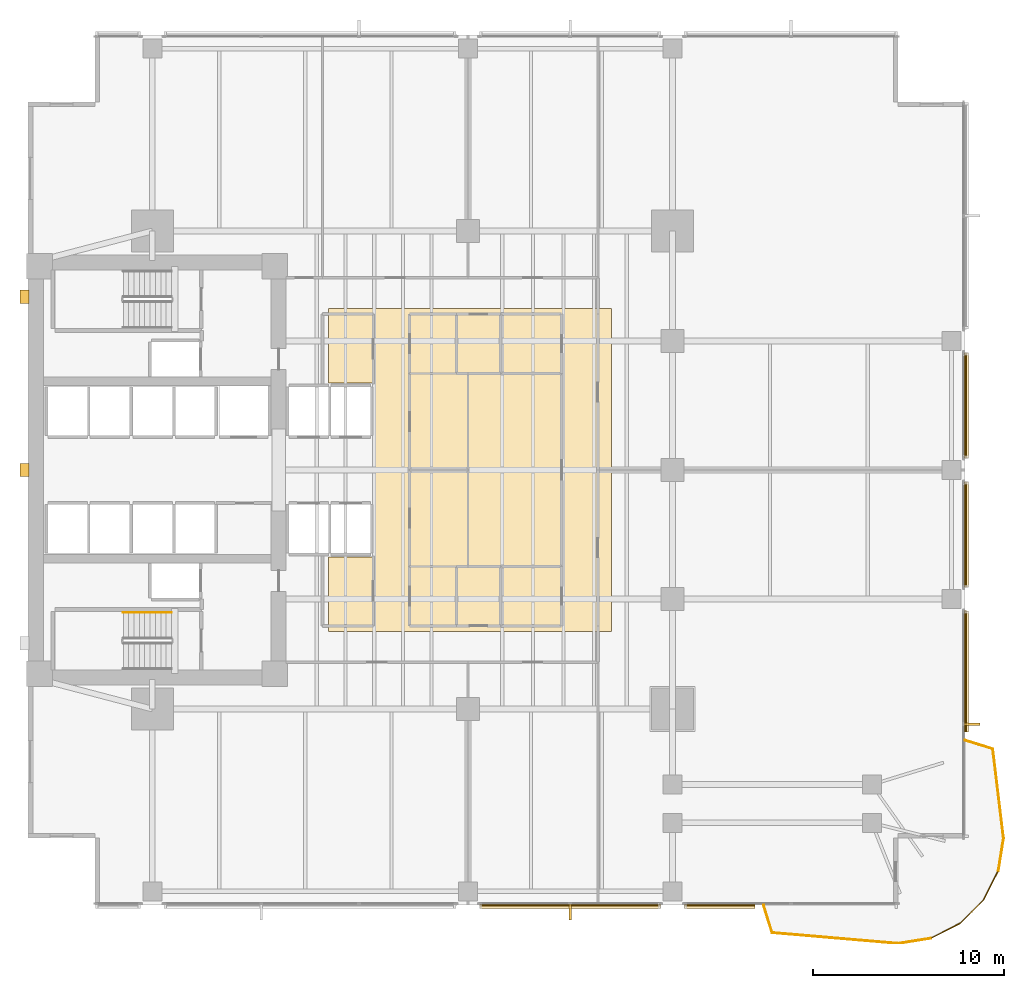
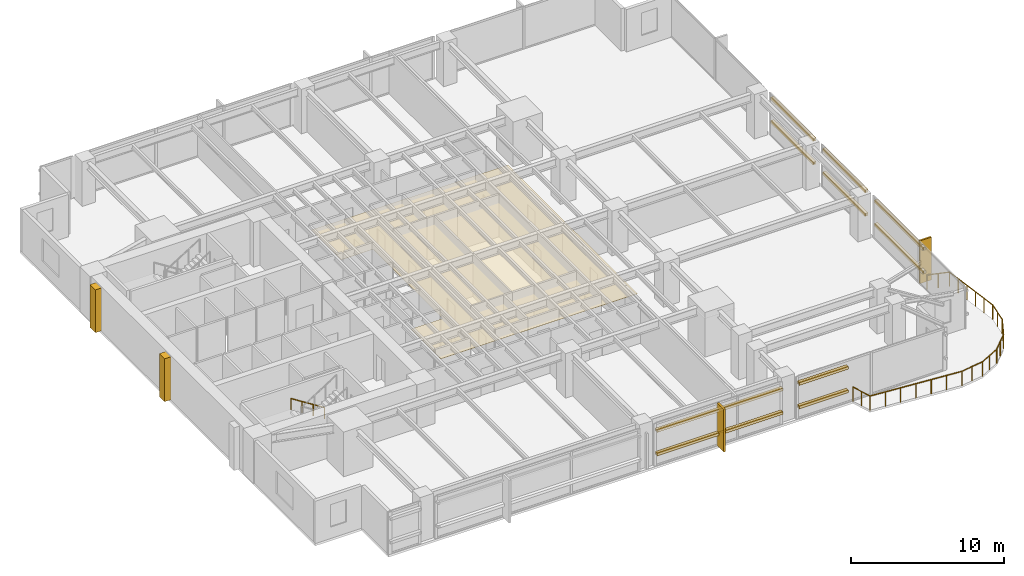
# One storey, part 13 of 15: 15 coverings, 10 railings, 10 shading devices.
"""IFC4 building model written with IfcOpenShell, lengths in metres."""

from ifc_helpers import new_model, si_unit, direction, frame, origin, origin_2d, place, context, subcontext, project, spatial, polyline, rectangle, circle, outline, extrude, material, layer, layer_set, material_profile, profile_set, type_object, element, save


model = new_model("IFC4")

# Units and contexts
model_context = context("Model", 3, precision=1e-05, world=origin(), true_north=direction((0.0, 1.0)))
body_context = subcontext(model_context, "Body", "Model", "MODEL_VIEW")
ifc_project = project(units=[si_unit("LENGTHUNIT", "METRE"), si_unit("AREAUNIT", "SQUARE_METRE"), si_unit("VOLUMEUNIT", "CUBIC_METRE"), si_unit("PLANEANGLEUNIT", "RADIAN"), si_unit("MASSUNIT", "GRAM", prefix="KILO")], contexts=[model_context])

# Site, building, storey
site_placement = place(None, origin())
site = spatial("IfcSite", under=ifc_project, at=site_placement, CompositionType="ELEMENT")
building_placement = place(site_placement, origin())
building = spatial("IfcBuilding", under=site, at=building_placement, Name="Kinhvarn Gate Tower", CompositionType="ELEMENT")
storey_placement = place(building_placement, frame((0.0, 0.0, 43.35009765625)))
storey = spatial("IfcBuildingStorey", under=building, at=storey_placement, Name="L10", CompositionType="ELEMENT", Elevation=43.35009765625)

# Coverings
ifc_material_1 = material(Name="Fired architectural terracotta", Category="masonry")
ifc_layer_1 = layer(ifc_material_1, 0.239990234375)
ifc_layer_set_1 = layer_set([ifc_layer_1], Name="Fired architectural terracotta")
covering_type_1 = type_object("IfcCoveringType", Name="COV-BAG-220", PredefinedType="CLADDING", material=ifc_layer_set_1)
for number, where, name in (
    (1, (0.0, 0.0, 0.93994140625), "Terracotta Horizontal Sunscreen Band TBG-220 (L10)"),
    (2, (0.0, 0.0, 2.809814453125), "Terracotta Horizontal Sunscreen Band TBG-220 (L10)"),
):
    element("IfcCovering", number, at=place(storey_placement, frame(where)), inside=storey, type_object=covering_type_1, Name=name, PredefinedType="CLADDING", context=body_context, shape_type="SweptSolid", body=[
        extrude(outline(polyline([(28.1201171875, 2.56005859375), (37.580078125, 2.56005859375), (37.580078125, 2.320068359375), (28.1201171875, 2.320068359375), (28.1201171875, 2.56005859375)])), origin(), (0.0, 0.0, 1.0), 0.219970703125),
    ])
for number, where, name in (
    (3, (0.0, 0.0, 0.93994140625), "Terracotta Horizontal Sunscreen Band TBG-220 (L10)"),
    (4, (0.0, 0.0, 2.809814453125), "Terracotta Horizontal Sunscreen Band TBG-220 (L10)"),
):
    element("IfcCovering", number, at=place(storey_placement, frame(where)), inside=storey, type_object=covering_type_1, Name=name, PredefinedType="CLADDING", context=body_context, shape_type="SweptSolid", body=[
        extrude(outline(polyline([(38.820068359375, 2.56005859375), (42.510986328125, 2.56005859375), (42.510986328125, 2.320068359375), (38.820068359375, 2.320068359375), (38.820068359375, 2.56005859375)])), origin(), (0.0, 0.0, 1.0), 0.219970703125),
    ])
for number, where, name in (
    (5, (0.0, 0.0, 0.93994140625), "Terracotta Horizontal Sunscreen Band TBG-220 (L10)"),
    (6, (0.0, 0.0, 2.809814453125), "Terracotta Horizontal Sunscreen Band TBG-220 (L10)"),
):
    element("IfcCovering", number, at=place(storey_placement, frame(where)), inside=storey, type_object=covering_type_1, Name=name, PredefinedType="CLADDING", context=body_context, shape_type="SweptSolid", body=[
        extrude(outline(polyline([(53.43994140625, 11.56298828125), (53.43994140625, 17.8798828125), (53.679931640625, 17.8798828125), (53.679931640625, 11.56298828125), (53.43994140625, 11.56298828125)])), origin(), (0.0, 0.0, 1.0), 0.219970703125),
    ])
for number, where, name in (
    (7, (0.0, 0.0, 0.93994140625), "Terracotta Horizontal Sunscreen Band TBG-220 (L10)"),
    (8, (0.0, 0.0, 2.809814453125), "Terracotta Horizontal Sunscreen Band TBG-220 (L10)"),
):
    element("IfcCovering", number, at=place(storey_placement, frame(where)), inside=storey, type_object=covering_type_1, Name=name, PredefinedType="CLADDING", context=body_context, shape_type="SweptSolid", body=[
        extrude(outline(polyline([(53.43994140625, 19.1201171875), (53.43994140625, 24.6298828125), (53.679931640625, 24.6298828125), (53.679931640625, 19.1201171875), (53.43994140625, 19.1201171875)])), origin(), (0.0, 0.0, 1.0), 0.219970703125),
    ])
for number, where, name in (
    (9, (0.0, 0.0, 0.93994140625), "Terracotta Horizontal Sunscreen Band TBG-220 (L10)"),
    (10, (0.0, 0.0, 2.809814453125), "Terracotta Horizontal Sunscreen Band TBG-220 (L10)"),
):
    element("IfcCovering", number, at=place(storey_placement, frame(where)), inside=storey, type_object=covering_type_1, Name=name, PredefinedType="CLADDING", context=body_context, shape_type="SweptSolid", body=[
        extrude(outline(polyline([(53.43994140625, 25.8701171875), (53.43994140625, 31.3798828125), (53.679931640625, 31.3798828125), (53.679931640625, 25.8701171875), (53.43994140625, 25.8701171875)])), origin(), (0.0, 0.0, 1.0), 0.219970703125),
    ])
ifc_material_2 = material(Name="Mineral-fibre acoustic ceiling tile")
ifc_layer_2 = layer(ifc_material_2, 0.02001953125)
ifc_layer_set_2 = layer_set([ifc_layer_2], Name="Mineral-fibre acoustic ceiling tile")
covering_type_2 = type_object("IfcCoveringType", Name="COV-CEIL-20", PredefinedType="CEILING", material=ifc_layer_set_2)
covering_1_placement = place(storey_placement, frame((0.0, 0.0, 2.64990234375)))
element("IfcCovering", 11, at=covering_1_placement, inside=storey, type_object=covering_type_2, Name="Suspended Acoustic Ceiling Tile (L10-1)", PredefinedType="CEILING", context=body_context, shape_type="SweptSolid", body=[
    extrude(outline(polyline([(35.0, 33.699951171875), (35.0, 16.800048828125), (20.199951171875, 16.800048828125), (20.199951171875, 20.699951171875), (22.60009765625, 20.699951171875), (22.60009765625, 29.800048828125), (20.199951171875, 29.800048828125), (20.199951171875, 33.699951171875), (35.0, 33.699951171875)])), origin(), (0.0, 0.0, 1.0), 0.02001953125),
])
ifc_layer_3 = layer(ifc_material_1, 0.139892578125)
ifc_layer_set_3 = layer_set([ifc_layer_3], Name="Fired architectural terracotta")
covering_type_3 = type_object("IfcCoveringType", Name="COV-FIN-850", PredefinedType="CLADDING", material=ifc_layer_set_3)
covering_2_placement = place(storey_placement, frame((0.0, 0.0, -0.02001953125)))
element("IfcCovering", 12, at=covering_2_placement, inside=storey, type_object=covering_type_3, Name="Vertical Terracotta Expressive Fin TFN-850 (L10)", PredefinedType="CLADDING", context=body_context, shape_type="SweptSolid", body=[
    extrude(outline(polyline([(32.780029296875, 2.570068359375), (32.919921875, 2.570068359375), (32.919921875, 1.719970703125), (32.780029296875, 1.719970703125), (32.780029296875, 2.570068359375)])), origin(), (0.0, 0.0, 1.0), 3.409912109375),
])
covering_3_placement = place(storey_placement, frame((0.0, 0.0, -0.02001953125)))
element("IfcCovering", 13, at=covering_3_placement, inside=storey, type_object=covering_type_3, Name="Vertical Terracotta Expressive Fin TFN-850 (L10)", PredefinedType="CLADDING", context=body_context, shape_type="SweptSolid", body=[
    extrude(outline(polyline([(53.429931640625, 11.889892578125), (53.429931640625, 12.030029296875), (54.280029296875, 12.030029296875), (54.280029296875, 11.889892578125), (53.429931640625, 11.889892578125)])), origin(), (0.0, 0.0, 1.0), 3.409912109375),
])
ifc_material_3 = material(Name="Precast white architectural concrete C40/50", Category="concrete")
ifc_layer_4 = layer(ifc_material_3, 0.47998046875)
ifc_layer_set_4 = layer_set([ifc_layer_4], Name="Precast white architectural concrete C40/50")
covering_type_4 = type_object("IfcCoveringType", Name="COV-RIB-450", PredefinedType="CLADDING", material=ifc_layer_set_4)
covering_4_placement = place(storey_placement, frame((0.0, 0.0, -0.02001953125)))
element("IfcCovering", 14, at=covering_4_placement, inside=storey, type_object=covering_type_4, Name="West Core Sculptural Concrete Relief Rib CRB-450 (L10)", PredefinedType="CLADDING", context=body_context, shape_type="SweptSolid", body=[
    extrude(outline(polyline([(4.080078125, 24.89990234375), (4.56005859375, 24.89990234375), (4.56005859375, 25.60009765625), (4.080078125, 25.60009765625), (4.080078125, 24.89990234375)])), origin(), (0.0, 0.0, 1.0), 3.409912109375),
])
covering_5_placement = place(storey_placement, frame((0.0, 0.0, -0.02001953125)))
element("IfcCovering", 15, at=covering_5_placement, inside=storey, type_object=covering_type_4, Name="West Core Sculptural Concrete Relief Rib CRB-450 (L10)", PredefinedType="CLADDING", context=body_context, shape_type="SweptSolid", body=[
    extrude(outline(polyline([(4.080078125, 33.949951171875), (4.56005859375, 33.949951171875), (4.56005859375, 34.64990234375), (4.080078125, 34.64990234375), (4.080078125, 33.949951171875)])), origin(), (0.0, 0.0, 1.0), 3.409912109375),
])

# Railings
ifc_material_4 = material(Name="Clear low-e double glazing", Category="glass")
railing_type_1 = type_object("IfcRailingType", Name="RL-BAL-1150", PredefinedType="BALUSTRADE", material=ifc_material_4)
railing_1_placement = place(storey_placement, frame((42.9609375, 2.5, 0.0)))
element("IfcRailing", 16, at=railing_1_placement, inside=storey, type_object=railing_type_1, Name="S-Carve Balcony Guardrail Seg 1 (L10)", PredefinedType="BALUSTRADE", context=body_context, shape_type="SweptSolid", body=[
    extrude(circle(Radius=0.02392578125, at=origin_2d()), frame((0.0, 0.0, 1.1259765625), z_axis=(0.297154754716, -0.954829331216, 0.0), x_axis=(0.954829331216, 0.297154754716, 0.0)), (0.0, 0.0, 1.0), 1.51416015625),
    extrude(circle(Radius=0.02099609375, at=origin_2d()), origin(), (0.0, 0.0, 1.0), 1.101806640625),
    extrude(circle(Radius=0.02099609375, at=origin_2d()), frame((0.22509765625, -0.722900390625, 0.0)), (0.0, 0.0, 1.0), 1.101806640625),
    extrude(circle(Radius=0.02099609375, at=origin_2d()), frame((0.449951171875, -1.44580078125, 0.0)), (0.0, 0.0, 1.0), 1.101806640625),
])
railing_2_placement = place(storey_placement, frame((43.410888671875, 1.05419921875, 0.0)))
element("IfcRailing", 17, at=railing_2_placement, inside=storey, type_object=railing_type_1, Name="S-Carve Balcony Guardrail Seg 2 (L10)", PredefinedType="BALUSTRADE", context=body_context, shape_type="SweptSolid", body=[
    extrude(circle(Radius=0.02392578125, at=origin_2d()), frame((0.0, 0.0, 1.1259765625), z_axis=(0.996379067144, -0.085022082761, 0.0), x_axis=(0.085022082761, 0.996379067144, 0.0)), (0.0, 0.0, 1.0), 6.613037109375),
    extrude(circle(Radius=0.02099609375, at=origin_2d()), origin(), (0.0, 0.0, 1.0), 1.101806640625),
    extrude(circle(Radius=0.02099609375, at=origin_2d()), frame((1.09814453125, -0.09375, 0.0)), (0.0, 0.0, 1.0), 1.101806640625),
    extrude(circle(Radius=0.02099609375, at=origin_2d()), frame((2.1962890625, -0.1875, 0.0)), (0.0, 0.0, 1.0), 1.101806640625),
    extrude(circle(Radius=0.02099609375, at=origin_2d()), frame((3.29443359375, -0.28125, 0.0)), (0.0, 0.0, 1.0), 1.101806640625),
    extrude(circle(Radius=0.02099609375, at=origin_2d()), frame((4.392822265625, -0.374755859375, 0.0)), (0.0, 0.0, 1.0), 1.101806640625),
    extrude(circle(Radius=0.02099609375, at=origin_2d()), frame((5.490966796875, -0.468505859375, 0.0)), (0.0, 0.0, 1.0), 1.101806640625),
    extrude(circle(Radius=0.02099609375, at=origin_2d()), frame((6.589111328125, -0.562255859375, 0.0)), (0.0, 0.0, 1.0), 1.101806640625),
])
railing_3_placement = place(storey_placement, frame((50.0, 0.491943359375, 0.0)))
element("IfcRailing", 18, at=railing_3_placement, inside=storey, type_object=railing_type_1, Name="S-Carve Balcony Guardrail Seg 3 (L10)", PredefinedType="BALUSTRADE", context=body_context, shape_type="SweptSolid", body=[
    extrude(circle(Radius=0.02392578125, at=origin_2d()), frame((0.0, 0.0, 1.1259765625), z_axis=(0.987672057472, 0.156537238025, 0.0), x_axis=(-0.156537238025, 0.987672057472, 0.0)), (0.0, 0.0, 1.0), 1.723388671875),
    extrude(circle(Radius=0.02099609375, at=origin_2d()), origin(), (0.0, 0.0, 1.0), 1.101806640625),
    extrude(circle(Radius=0.02099609375, at=origin_2d()), frame((0.85107421875, 0.134765625, 0.0)), (0.0, 0.0, 1.0), 1.101806640625),
    extrude(circle(Radius=0.02099609375, at=origin_2d()), frame((1.7021484375, 0.269775390625, 0.0)), (0.0, 0.0, 1.0), 1.101806640625),
])
railing_4_placement = place(storey_placement, frame((51.7021484375, 0.76171875, 0.0)))
element("IfcRailing", 19, at=railing_4_placement, inside=storey, type_object=railing_type_1, Name="S-Carve Balcony Guardrail Seg 4 (L10)", PredefinedType="BALUSTRADE", context=body_context, shape_type="SweptSolid", body=[
    extrude(circle(Radius=0.02392578125, at=origin_2d()), frame((0.0, 0.0, 1.1259765625), z_axis=(0.891029765619, 0.453944882977, 0.0), x_axis=(-0.453944882977, 0.891029765619, 0.0)), (0.0, 0.0, 1.0), 1.72314453125),
    extrude(circle(Radius=0.02099609375, at=origin_2d()), origin(), (0.0, 0.0, 1.0), 1.101806640625),
    extrude(circle(Radius=0.02099609375, at=origin_2d()), frame((0.767578125, 0.39111328125, 0.0)), (0.0, 0.0, 1.0), 1.101806640625),
    extrude(circle(Radius=0.02099609375, at=origin_2d()), frame((1.535400390625, 0.7822265625, 0.0)), (0.0, 0.0, 1.0), 1.101806640625),
])
railing_5_placement = place(storey_placement, frame((53.237548828125, 1.5439453125, 0.0)))
element("IfcRailing", 20, at=railing_5_placement, inside=storey, type_object=railing_type_1, Name="S-Carve Balcony Guardrail Seg 5 (L10)", PredefinedType="BALUSTRADE", context=body_context, shape_type="SweptSolid", body=[
    extrude(circle(Radius=0.02392578125, at=origin_2d()), frame((0.0, 0.0, 1.1259765625), z_axis=(0.707106781187, 0.707106781187, 0.0), x_axis=(-0.707106781187, 0.707106781187, 0.0)), (0.0, 0.0, 1.0), 1.72314453125),
    extrude(circle(Radius=0.02099609375, at=origin_2d()), origin(), (0.0, 0.0, 1.0), 1.101806640625),
    extrude(circle(Radius=0.02099609375, at=origin_2d()), frame((0.609375, 0.609375, 0.0)), (0.0, 0.0, 1.0), 1.101806640625),
    extrude(circle(Radius=0.02099609375, at=origin_2d()), frame((1.218505859375, 1.218505859375, 0.0)), (0.0, 0.0, 1.0), 1.101806640625),
])
railing_6_placement = place(storey_placement, frame((54.4560546875, 2.762451171875, 0.0)))
element("IfcRailing", 21, at=railing_6_placement, inside=storey, type_object=railing_type_1, Name="S-Carve Balcony Guardrail Seg 6 (L10)", PredefinedType="BALUSTRADE", context=body_context, shape_type="SweptSolid", body=[
    extrude(circle(Radius=0.02392578125, at=origin_2d()), frame((0.0, 0.0, 1.1259765625), z_axis=(0.453944882977, 0.891029765619, 0.0), x_axis=(-0.891029765619, 0.453944882977, 0.0)), (0.0, 0.0, 1.0), 1.72314453125),
    extrude(circle(Radius=0.02099609375, at=origin_2d()), origin(), (0.0, 0.0, 1.0), 1.101806640625),
    extrude(circle(Radius=0.02099609375, at=origin_2d()), frame((0.39111328125, 0.767578125, 0.0)), (0.0, 0.0, 1.0), 1.101806640625),
    extrude(circle(Radius=0.02099609375, at=origin_2d()), frame((0.7822265625, 1.535400390625, 0.0)), (0.0, 0.0, 1.0), 1.101806640625),
])
railing_7_placement = place(storey_placement, frame((55.23828125, 4.2978515625, 0.0)))
element("IfcRailing", 22, at=railing_7_placement, inside=storey, type_object=railing_type_1, Name="S-Carve Balcony Guardrail Seg 7 (L10)", PredefinedType="BALUSTRADE", context=body_context, shape_type="SweptSolid", body=[
    extrude(circle(Radius=0.02392578125, at=origin_2d()), frame((0.0, 0.0, 1.1259765625), z_axis=(0.156537238025, 0.987672057472, 0.0), x_axis=(-0.987672057472, 0.156537238025, 0.0)), (0.0, 0.0, 1.0), 1.723388671875),
    extrude(circle(Radius=0.02099609375, at=origin_2d()), origin(), (0.0, 0.0, 1.0), 1.101806640625),
    extrude(circle(Radius=0.02099609375, at=origin_2d()), frame((0.134765625, 0.85107421875, 0.0)), (0.0, 0.0, 1.0), 1.101806640625),
    extrude(circle(Radius=0.02099609375, at=origin_2d()), frame((0.269775390625, 1.7021484375, 0.0)), (0.0, 0.0, 1.0), 1.101806640625),
])
railing_8_placement = place(storey_placement, frame((55.508056640625, 6.0, 0.0)))
element("IfcRailing", 23, at=railing_8_placement, inside=storey, type_object=railing_type_1, Name="S-Carve Balcony Guardrail Seg 8 (L10)", PredefinedType="BALUSTRADE", context=body_context, shape_type="SweptSolid", body=[
    extrude(circle(Radius=0.02392578125, at=origin_2d()), frame((0.0, 0.0, 1.1259765625), z_axis=(-0.119708859581, 0.992809039513, 0.0), x_axis=(-0.992809039513, -0.119708859581, 0.0)), (0.0, 0.0, 1.0), 4.69677734375),
    extrude(circle(Radius=0.02099609375, at=origin_2d()), origin(), (0.0, 0.0, 1.0), 1.101806640625),
    extrude(circle(Radius=0.02099609375, at=origin_2d()), frame((-0.112548828125, 0.9326171875, 0.0)), (0.0, 0.0, 1.0), 1.101806640625),
    extrude(circle(Radius=0.02099609375, at=origin_2d()), frame((-0.224853515625, 1.865234375, 0.0)), (0.0, 0.0, 1.0), 1.101806640625),
    extrude(circle(Radius=0.02099609375, at=origin_2d()), frame((-0.33740234375, 2.7978515625, 0.0)), (0.0, 0.0, 1.0), 1.101806640625),
    extrude(circle(Radius=0.02099609375, at=origin_2d()), frame((-0.44970703125, 3.73046875, 0.0)), (0.0, 0.0, 1.0), 1.101806640625),
    extrude(circle(Radius=0.02099609375, at=origin_2d()), frame((-0.562255859375, 4.6630859375, 0.0)), (0.0, 0.0, 1.0), 1.101806640625),
])
railing_9_placement = place(storey_placement, frame((54.94580078125, 10.6630859375, 0.0)))
element("IfcRailing", 24, at=railing_9_placement, inside=storey, type_object=railing_type_1, Name="S-Carve Balcony Guardrail Seg 9 (L10)", PredefinedType="BALUSTRADE", context=body_context, shape_type="SweptSolid", body=[
    extrude(circle(Radius=0.02392578125, at=origin_2d()), frame((0.0, 0.0, 1.1259765625), z_axis=(-0.954829331216, 0.297154754716, 0.0), x_axis=(-0.297154754716, -0.954829331216, 0.0)), (0.0, 0.0, 1.0), 1.51416015625),
    extrude(circle(Radius=0.02099609375, at=origin_2d()), origin(), (0.0, 0.0, 1.0), 1.101806640625),
    extrude(circle(Radius=0.02099609375, at=origin_2d()), frame((-0.722900390625, 0.22509765625, 0.0)), (0.0, 0.0, 1.0), 1.101806640625),
    extrude(circle(Radius=0.02099609375, at=origin_2d()), frame((-1.44580078125, 0.449951171875, 0.0)), (0.0, 0.0, 1.0), 1.101806640625),
])
ifc_material_5 = material(Name="Steel S355", Category="steel")
railing_type_2 = type_object("IfcRailingType", Name="RL-ST-HND", PredefinedType="HANDRAIL", material=ifc_material_5)
railing_10_placement = place(storey_placement, frame((12.0, 17.800048828125, 0.177490234375)))
element("IfcRailing", 25, at=railing_10_placement, inside=storey, type_object=railing_type_2, Name="L10 ST1 stair handrail 1", PredefinedType="HANDRAIL", context=body_context, shape_type="SweptSolid", body=[
    extrude(circle(Radius=0.02392578125, at=origin_2d()), frame((0.0, 0.0, 0.8759765625), z_axis=(-0.84460694969, 0.0, 0.535386869969), x_axis=(0.0, -1.0, 0.0)), (0.0, 0.0, 1.0), 2.983642578125),
    extrude(circle(Radius=0.02099609375, at=origin_2d()), origin(), (0.0, 0.0, 1.0), 0.851806640625),
    extrude(circle(Radius=0.02099609375, at=origin_2d()), frame((-0.840087890625, 0.0, 0.532470703125)), (0.0, 0.0, 1.0), 0.851806640625),
    extrude(circle(Radius=0.02099609375, at=origin_2d()), frame((-1.679931640625, 0.0, 1.06494140625)), (0.0, 0.0, 1.0), 0.851806640625),
    extrude(circle(Radius=0.02099609375, at=origin_2d()), frame((-2.52001953125, 0.0, 1.597412109375)), (0.0, 0.0, 1.0), 0.851806640625),
])

# Shading devices
ifc_material_profile = material_profile(ifc_material_1, rectangle(XDim=0.06005859375, YDim=0.139892578125, at=origin_2d()), Name="TC 60x140")
ifc_profile_set = profile_set([ifc_material_profile], Name="Fired architectural terracotta")
shading_device_type = type_object("IfcShadingDeviceType", Name="SHD-BAG-180", PredefinedType="USERDEFINED", material=ifc_profile_set)
for number, where, z_axis, x_axis, name in (
    (26, (28.1201171875, 2.485107421875, 1.0498046875), (1.0, 0.0, 0.0), (0.0, 1.0, 0.0), "Fired Terracotta Baguette Screen Rod 60x140 mm (L10)"),
    (27, (28.1201171875, 2.485107421875, 2.919921875), (1.0, 0.0, 0.0), (0.0, 1.0, 0.0), "Fired Terracotta Baguette Screen Rod 60x140 mm (L10)"),
):
    element("IfcShadingDevice", number, at=place(storey_placement, frame(where, z_axis=z_axis, x_axis=x_axis)), inside=storey, type_object=shading_device_type, Name=name, ObjectType="BAGUETTE", PredefinedType="USERDEFINED", context=body_context, shape_type="SweptSolid", body=[
        extrude(rectangle(XDim=0.06005859375, YDim=0.139892578125, at=origin_2d()), origin(), (0.0, 0.0, 1.0), 9.4599609375),
    ])
for number, where, z_axis, x_axis, name in (
    (28, (38.820068359375, 2.485107421875, 1.0498046875), (1.0, 0.0, 0.0), (0.0, 1.0, 0.0), "Fired Terracotta Baguette Screen Rod 60x140 mm (L10)"),
    (29, (38.820068359375, 2.485107421875, 2.919921875), (1.0, 0.0, 0.0), (0.0, 1.0, 0.0), "Fired Terracotta Baguette Screen Rod 60x140 mm (L10)"),
):
    element("IfcShadingDevice", number, at=place(storey_placement, frame(where, z_axis=z_axis, x_axis=x_axis)), inside=storey, type_object=shading_device_type, Name=name, ObjectType="BAGUETTE", PredefinedType="USERDEFINED", context=body_context, shape_type="SweptSolid", body=[
        extrude(rectangle(XDim=0.06005859375, YDim=0.139892578125, at=origin_2d()), origin(), (0.0, 0.0, 1.0), 3.69091796875),
    ])
for number, where, z_axis, x_axis, name in (
    (30, (53.514892578125, 11.56298828125, 1.0498046875), (0.0, 1.0, 0.0), (-1.0, 0.0, 0.0), "Fired Terracotta Baguette Screen Rod 60x140 mm (L10)"),
    (31, (53.514892578125, 11.56298828125, 2.919921875), (0.0, 1.0, 0.0), (-1.0, 0.0, 0.0), "Fired Terracotta Baguette Screen Rod 60x140 mm (L10)"),
):
    element("IfcShadingDevice", number, at=place(storey_placement, frame(where, z_axis=z_axis, x_axis=x_axis)), inside=storey, type_object=shading_device_type, Name=name, ObjectType="BAGUETTE", PredefinedType="USERDEFINED", context=body_context, shape_type="SweptSolid", body=[
        extrude(rectangle(XDim=0.06005859375, YDim=0.139892578125, at=origin_2d()), origin(), (0.0, 0.0, 1.0), 6.31689453125),
    ])
for number, where, z_axis, x_axis, name in (
    (32, (53.514892578125, 19.1201171875, 1.0498046875), (0.0, 1.0, 0.0), (-1.0, 0.0, 0.0), "Fired Terracotta Baguette Screen Rod 60x140 mm (L10)"),
    (33, (53.514892578125, 19.1201171875, 2.919921875), (0.0, 1.0, 0.0), (-1.0, 0.0, 0.0), "Fired Terracotta Baguette Screen Rod 60x140 mm (L10)"),
    (34, (53.514892578125, 25.8701171875, 1.0498046875), (0.0, 1.0, 0.0), (-1.0, 0.0, 0.0), "Fired Terracotta Baguette Screen Rod 60x140 mm (L10)"),
    (35, (53.514892578125, 25.8701171875, 2.919921875), (0.0, 1.0, 0.0), (-1.0, 0.0, 0.0), "Fired Terracotta Baguette Screen Rod 60x140 mm (L10)"),
):
    element("IfcShadingDevice", number, at=place(storey_placement, frame(where, z_axis=z_axis, x_axis=x_axis)), inside=storey, type_object=shading_device_type, Name=name, ObjectType="BAGUETTE", PredefinedType="USERDEFINED", context=body_context, shape_type="SweptSolid", body=[
        extrude(rectangle(XDim=0.06005859375, YDim=0.139892578125, at=origin_2d()), origin(), (0.0, 0.0, 1.0), 5.509765625),
    ])

save(model, "model.ifc")
